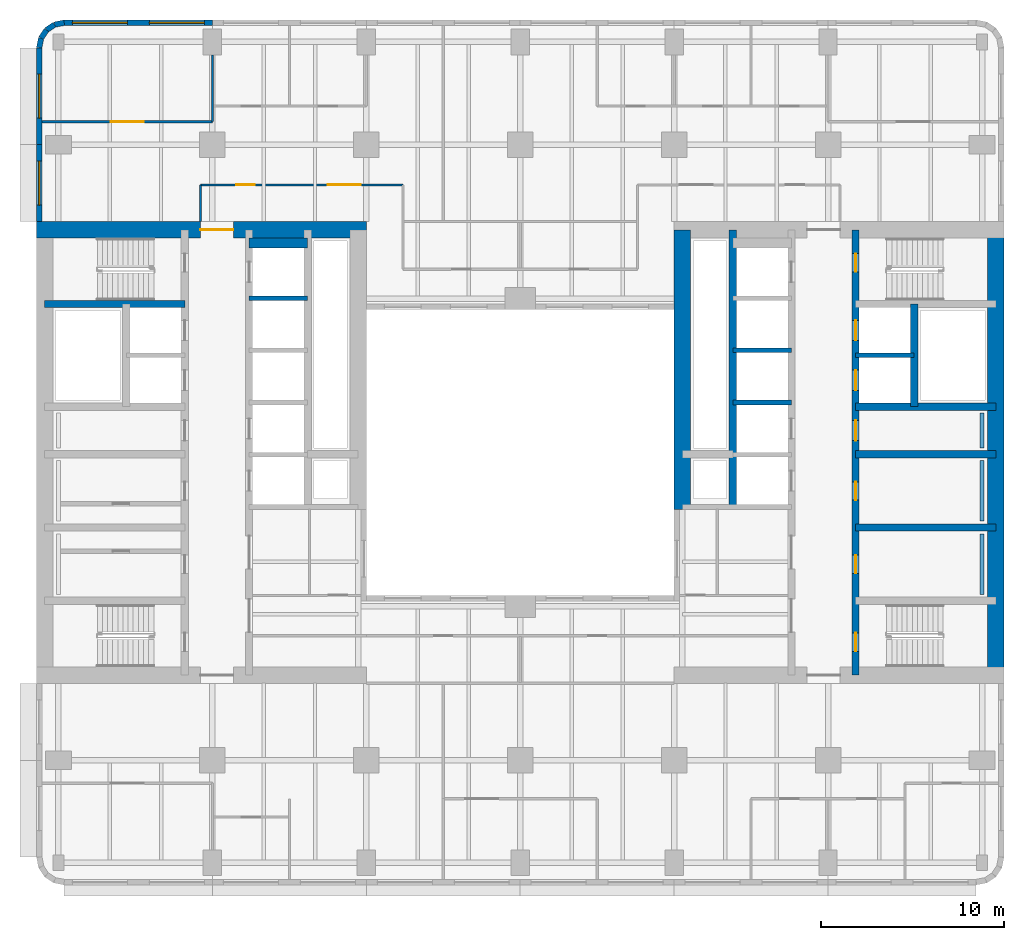
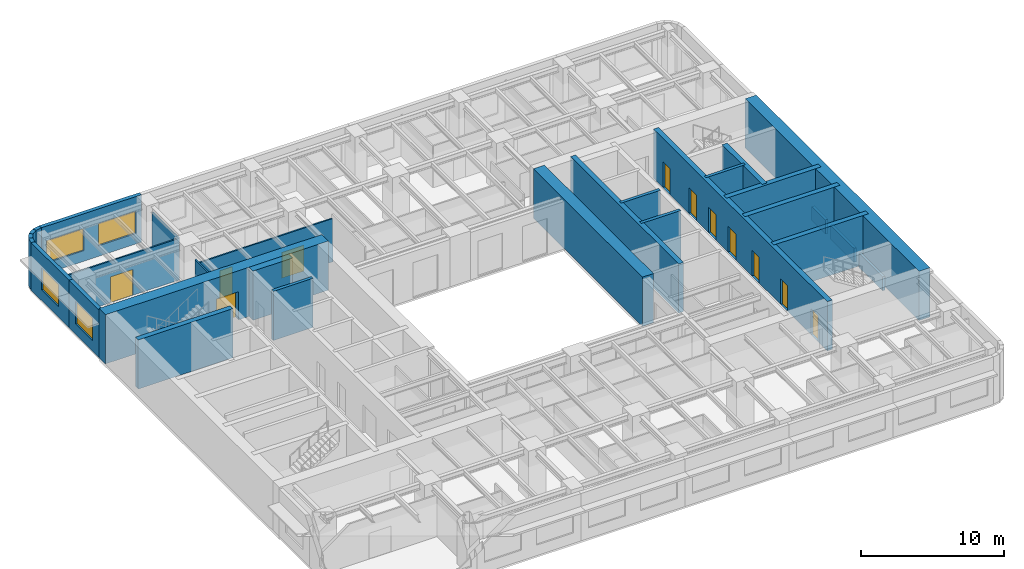
# One storey, part 6 of 11: 29 walls, 11 doors, 4 windows, 15 openings.
"""IFC4 building model written with IfcOpenShell, lengths in metres."""

from ifc_helpers import new_model, si_unit, direction, frame, frame_2d, origin, place, context, subcontext, project, spatial, rectangle, extrude, material, layer, layer_set, type_object, element, fill, save


model = new_model("IFC4")

# Units and contexts
model_context = context("Model", 3, precision=1e-05, world=origin(), true_north=direction((0.0, 1.0)))
body_context = subcontext(model_context, "Body", "Model", "MODEL_VIEW")
ifc_project = project(units=[si_unit("LENGTHUNIT", "METRE"), si_unit("AREAUNIT", "SQUARE_METRE"), si_unit("VOLUMEUNIT", "CUBIC_METRE"), si_unit("PLANEANGLEUNIT", "RADIAN"), si_unit("MASSUNIT", "GRAM", prefix="KILO")], contexts=[model_context])

# Site, building, storey
site_placement = place(None, origin())
site = spatial("IfcSite", under=ifc_project, at=site_placement, CompositionType="ELEMENT")
building_placement = place(site_placement, origin())
building = spatial("IfcBuilding", under=site, at=building_placement, Name="Claustro Exchange Tower", CompositionType="ELEMENT")
storey_placement = place(building_placement, frame((0.0, 0.0, 155.39990234375)))
storey = spatial("IfcBuildingStorey", under=building, at=storey_placement, Name="L35", CompositionType="ELEMENT", Elevation=155.39990234375)

# Wall, opening, door
ifc_material_1 = material(Name="Laminated glass in aluminium frame", Category="aluminium")
ifc_layer_1 = layer(ifc_material_1, 0.1201171875)
ifc_layer_set_1 = layer_set([ifc_layer_1], Name="Laminated glass in aluminium frame")
wall_type_1 = type_object("IfcWallType", Name="P2 120 glazed partition", PredefinedType="PARTITIONING", material=ifc_layer_set_1)
wall_1_placement = place(storey_placement, frame((-0.902099609375, 43.25, 0.0), z_axis=(0.0, 0.0, 1.0), x_axis=(1.0, 0.0, 0.0)))
wall_1 = element("IfcWall", 1, at=wall_1_placement, inside=storey, type_object=wall_type_1, Name="Partition P2 L35", PredefinedType="PARTITIONING", context=body_context, shape_type="SweptSolid", body=[
    extrude(rectangle(XDim=9.302001953125, YDim=0.1201171875, at=frame_2d((4.65087890625, 0.0))), origin(), (0.0, 0.0, 1.0), 3.550048828125),
])
opening_1_placement = place(wall_1_placement, frame((3.751953125, 0.0, 0.0)))
opening_1 = element("IfcOpeningElement", 2, at=opening_1_placement, cuts=wall_1, Name="Opening D2", PredefinedType="OPENING", context=body_context, shape_type="SweptSolid", body=[
    extrude(rectangle(XDim=1.800048828125, YDim=2.199951171875, at=frame_2d((0.89990234375, 1.10009765625))), frame((0.0, 0.070068359375, 0.0), z_axis=(0.0, -1.0, 0.0), x_axis=(1.0, 0.0, 0.0)), (0.0, 0.0, 1.0), 0.14013671875),
])
ifc_material_2 = material(Name="Timber door, oak veneer", Category="wood")
door_type_1 = type_object("IfcDoorType", Name="D2 1800 x 2200 double door", OperationType="DOUBLE_DOOR_SINGLE_SWING", PredefinedType="DOOR", material=ifc_material_2)
door_1_placement = place(opening_1_placement, origin())
door_1 = element("IfcDoor", 3, at=door_1_placement, inside=storey, type_object=door_type_1, Name="Double door D2 L35", OperationType="DOUBLE_DOOR_SINGLE_SWING", OverallHeight=2.199951171875, OverallWidth=1.800048828125, PredefinedType="DOOR", context=body_context, shape_type="SweptSolid", body=[
    extrude(rectangle(XDim=1.800048828125, YDim=2.199951171875, at=frame_2d((0.89990234375, 1.10009765625))), frame((0.0, 0.02490234375, 0.0), z_axis=(0.0, -1.0, 0.0), x_axis=(1.0, 0.0, 0.0)), (0.0, 0.0, 1.0), 0.050048828125),
])
fill(opening_1, door_1)

# Wall
wall_2_placement = place(storey_placement, frame((8.39990234375, 43.25, 0.0), z_axis=(0.0, 0.0, 1.0), x_axis=(0.0, 1.0, 0.0)))
element("IfcWall", 4, at=wall_2_placement, inside=storey, type_object=wall_type_1, Name="Partition P2 L35", PredefinedType="PARTITIONING", context=body_context, shape_type="SweptSolid", body=[
    extrude(rectangle(XDim=3.65087890625, YDim=0.1201171875, at=frame_2d((1.825439453125, 0.0))), origin(), (0.0, 0.0, 1.0), 3.550048828125),
])

# Wall, openings, doors
wall_3_placement = place(storey_placement, frame((7.75, 39.800048828125, 0.0), z_axis=(0.0, 0.0, 1.0), x_axis=(1.0, 0.0, 0.0)))
wall_3 = element("IfcWall", 5, at=wall_3_placement, inside=storey, type_object=wall_type_1, Name="Partition P2 L35", PredefinedType="PARTITIONING", context=body_context, shape_type="SweptSolid", body=[
    extrude(rectangle(XDim=11.050048828125, YDim=0.1201171875, at=frame_2d((5.52490234375, 0.0))), origin(), (0.0, 0.0, 1.0), 3.690185546875),
])
opening_2_placement = place(wall_3_placement, frame((1.949951171875, 0.0, 0.0)))
opening_2 = element("IfcOpeningElement", 6, at=opening_2_placement, cuts=wall_3, Name="Opening D7", PredefinedType="OPENING", context=body_context, shape_type="SweptSolid", body=[
    extrude(rectangle(XDim=1.0, YDim=2.39990234375, at=frame_2d((0.5, 1.199951171875))), frame((0.0, 0.070068359375, 0.0), z_axis=(0.0, -1.0, 0.0), x_axis=(1.0, 0.0, 0.0)), (0.0, 0.0, 1.0), 0.14013671875),
])
opening_3_placement = place(wall_3_placement, frame((6.949951171875, 0.0, 0.0)))
opening_3 = element("IfcOpeningElement", 7, at=opening_3_placement, cuts=wall_3, Name="Opening D2", PredefinedType="OPENING", context=body_context, shape_type="SweptSolid", body=[
    extrude(rectangle(XDim=1.800048828125, YDim=2.199951171875, at=frame_2d((0.89990234375, 1.10009765625))), frame((0.0, 0.070068359375, 0.0), z_axis=(0.0, -1.0, 0.0), x_axis=(1.0, 0.0, 0.0)), (0.0, 0.0, 1.0), 0.14013671875),
])
door_2_placement = place(opening_3_placement, origin())
door_2 = element("IfcDoor", 8, at=door_2_placement, inside=storey, type_object=door_type_1, Name="Double door D2 L35", OperationType="DOUBLE_DOOR_SINGLE_SWING", OverallHeight=2.199951171875, OverallWidth=1.800048828125, PredefinedType="DOOR", context=body_context, shape_type="SweptSolid", body=[
    extrude(rectangle(XDim=1.800048828125, YDim=2.199951171875, at=frame_2d((0.89990234375, 1.10009765625))), frame((0.0, 0.02490234375, 0.0), z_axis=(0.0, -1.0, 0.0), x_axis=(1.0, 0.0, 0.0)), (0.0, 0.0, 1.0), 0.050048828125),
])
fill(opening_3, door_2)
ifc_material_3 = material(Name="Glass door in aluminium frame", Category="aluminium")
door_type_2 = type_object("IfcDoorType", Name="D7 1000 x 2400 glazed door", OperationType="SINGLE_SWING_LEFT", PredefinedType="DOOR", material=ifc_material_3)
door_3_placement = place(opening_2_placement, origin())
door_3 = element("IfcDoor", 9, at=door_3_placement, inside=storey, type_object=door_type_2, Name="Door D7 L35", OperationType="SINGLE_SWING_LEFT", OverallHeight=2.39990234375, OverallWidth=1.0, PredefinedType="DOOR", context=body_context, shape_type="SweptSolid", body=[
    extrude(rectangle(XDim=1.0, YDim=2.39990234375, at=frame_2d((0.5, 1.199951171875))), frame((0.0, 0.02490234375, 0.0), z_axis=(0.0, -1.0, 0.0), x_axis=(1.0, 0.0, 0.0)), (0.0, 0.0, 1.0), 0.050048828125),
])
fill(opening_2, door_3)

# Wall
wall_4_placement = place(storey_placement, frame((7.75, 37.800048828125, 0.0), z_axis=(0.0, 0.0, 1.0), x_axis=(0.0, 1.0, 0.0)))
element("IfcWall", 10, at=wall_4_placement, inside=storey, type_object=wall_type_1, Name="Partition P2 L35", PredefinedType="PARTITIONING", context=body_context, shape_type="SweptSolid", body=[
    extrude(rectangle(XDim=2.0, YDim=0.1201171875, at=frame_2d((1.0, 0.0))), origin(), (0.0, 0.0, 1.0), 4.050048828125),
])

# Wall, opening, window
ifc_material_4 = material(Name="Concrete HA-40 (C40/50), precast, white cement, acid-etched", Category="concrete")
ifc_layer_2 = layer(ifc_material_4, 0.300048828125)
ifc_layer_set_2 = layer_set([ifc_layer_2], Name="Concrete HA-40 (C40/50), precast, white cement, acid-etched")
wall_type_2 = type_object("IfcWallType", Name="PC1 300 precast concrete pier panel", PredefinedType="SOLIDWALL", material=ifc_layer_set_2)
wall_5_placement = place(storey_placement, frame((-1.050048828125, 37.800048828125, 0.0), z_axis=(0.0, 0.0, 1.0), x_axis=(0.0, 1.0, 0.0)))
wall_5 = element("IfcWall", 11, at=wall_5_placement, inside=storey, type_object=wall_type_2, Name="Precast pier panel PC1 L35", PredefinedType="SOLIDWALL", context=body_context, shape_type="SweptSolid", body=[
    extrude(rectangle(XDim=4.199951171875, YDim=0.300048828125, at=frame_2d((2.10009765625, 0.0))), origin(), (0.0, 0.0, 1.0), 4.050048828125),
])
opening_4_placement = place(wall_5_placement, frame((0.89990234375, 0.0, 0.89990234375)))
opening_4 = element("IfcOpeningElement", 12, at=opening_4_placement, cuts=wall_5, Name="Opening W2", PredefinedType="OPENING", context=body_context, shape_type="SweptSolid", body=[
    extrude(rectangle(XDim=2.39990234375, YDim=1.89990234375, at=frame_2d((1.199951171875, 0.949951171875))), frame((0.0, 0.159912109375, 0.0), z_axis=(0.0, -1.0, 0.0), x_axis=(1.0, 0.0, 0.0)), (0.0, 0.0, 1.0), 0.320068359375),
])
ifc_material_5 = material(Name="Aluminium frame, clear double glazing", Category="aluminium")
window_type_1 = type_object("IfcWindowType", Name="W2 2400 x 1900 window", PartitioningType="SINGLE_PANEL", PredefinedType="WINDOW", material=ifc_material_5)
window_1_placement = place(opening_4_placement, origin())
window_1 = element("IfcWindow", 13, at=window_1_placement, inside=storey, type_object=window_type_1, Name="Window W2 L35", OverallHeight=1.89990234375, OverallWidth=2.39990234375, PartitioningType="SINGLE_PANEL", PredefinedType="WINDOW", context=body_context, shape_type="SweptSolid", body=[
    extrude(rectangle(XDim=2.39990234375, YDim=1.89990234375, at=frame_2d((1.199951171875, 0.949951171875))), frame((0.0, 0.030029296875, 0.0), z_axis=(0.0, -1.0, 0.0), x_axis=(1.0, 0.0, 0.0)), (0.0, 0.0, 1.0), 0.06005859375),
])
fill(opening_4, window_1)

wall_6_placement = place(storey_placement, frame((-1.050048828125, 42.0, 0.0), z_axis=(0.0, 0.0, 1.0), x_axis=(0.0, 1.0, 0.0)))
wall_6 = element("IfcWall", 14, at=wall_6_placement, inside=storey, type_object=wall_type_2, Name="Precast pier panel PC1 L35", PredefinedType="SOLIDWALL", context=body_context, shape_type="SweptSolid", body=[
    extrude(rectangle(XDim=5.28515625, YDim=0.300048828125, at=frame_2d((2.642578125, 0.0))), origin(), (0.0, 0.0, 1.0), 4.050048828125),
])
opening_5_placement = place(wall_6_placement, frame((1.442626953125, 0.0, 0.89990234375)))
opening_5 = element("IfcOpeningElement", 15, at=opening_5_placement, cuts=wall_6, Name="Opening W2", PredefinedType="OPENING", context=body_context, shape_type="SweptSolid", body=[
    extrude(rectangle(XDim=2.39990234375, YDim=1.89990234375, at=frame_2d((1.199951171875, 0.949951171875))), frame((0.0, 0.159912109375, 0.0), z_axis=(0.0, -1.0, 0.0), x_axis=(1.0, 0.0, 0.0)), (0.0, 0.0, 1.0), 0.320068359375),
])
window_2_placement = place(opening_5_placement, origin())
window_2 = element("IfcWindow", 16, at=window_2_placement, inside=storey, type_object=window_type_1, Name="Window W2 L35", OverallHeight=1.89990234375, OverallWidth=2.39990234375, PartitioningType="SINGLE_PANEL", PredefinedType="WINDOW", context=body_context, shape_type="SweptSolid", body=[
    extrude(rectangle(XDim=2.39990234375, YDim=1.89990234375, at=frame_2d((1.199951171875, 0.949951171875))), frame((0.0, 0.030029296875, 0.0), z_axis=(0.0, -1.0, 0.0), x_axis=(1.0, 0.0, 0.0)), (0.0, 0.0, 1.0), 0.06005859375),
])
fill(opening_5, window_2)

# Walls
wall_7_placement = place(storey_placement, frame((-1.050048828125, 47.28515625, 0.0), z_axis=(0.0, 0.0, 1.0), x_axis=(0.195073962632, 0.980788534345, 0.0)))
element("IfcWall", 17, at=wall_7_placement, inside=storey, type_object=wall_type_2, Name="Precast pier panel PC1 L35", PredefinedType="SOLIDWALL", context=body_context, shape_type="SweptSolid", body=[
    extrude(rectangle(XDim=0.540771484375, YDim=0.300048828125, at=frame_2d((0.2705078125, 0.0))), origin(), (0.0, 0.0, 1.0), 4.050048828125),
])
wall_8_placement = place(storey_placement, frame((-0.944580078125, 47.8154296875, 0.0), z_axis=(0.0, 0.0, 1.0), x_axis=(0.55534295404, 0.831621430339, 0.0)))
element("IfcWall", 18, at=wall_8_placement, inside=storey, type_object=wall_type_2, Name="Precast pier panel PC1 L35", PredefinedType="SOLIDWALL", context=body_context, shape_type="SweptSolid", body=[
    extrude(rectangle(XDim=0.52587890625, YDim=0.300048828125, at=frame_2d((0.262939453125, 0.0))), origin(), (0.0, 0.0, 1.0), 4.050048828125),
])
wall_9_placement = place(storey_placement, frame((-0.652587890625, 48.252685546875, 0.0), z_axis=(0.0, 0.0, 1.0), x_axis=(0.831692711774, 0.555236195849, 0.0)))
element("IfcWall", 19, at=wall_9_placement, inside=storey, type_object=wall_type_2, Name="Precast pier panel PC1 L35", PredefinedType="SOLIDWALL", context=body_context, shape_type="SweptSolid", body=[
    extrude(rectangle(XDim=0.525390625, YDim=0.300048828125, at=frame_2d((0.2626953125, 0.0))), origin(), (0.0, 0.0, 1.0), 4.050048828125),
])
wall_10_placement = place(storey_placement, frame((-0.215576171875, 48.54443359375, 0.0), z_axis=(0.0, 0.0, 1.0), x_axis=(0.980788534345, 0.195073962632, 0.0)))
element("IfcWall", 20, at=wall_10_placement, inside=storey, type_object=wall_type_2, Name="Precast pier panel PC1 L35", PredefinedType="SOLIDWALL", context=body_context, shape_type="SweptSolid", body=[
    extrude(rectangle(XDim=0.540771484375, YDim=0.300048828125, at=frame_2d((0.2705078125, 0.0))), origin(), (0.0, 0.0, 1.0), 4.050048828125),
])

# Wall, openings, windows
wall_11_placement = place(storey_placement, frame((0.314697265625, 48.64990234375, 0.0), z_axis=(0.0, 0.0, 1.0), x_axis=(1.0, 0.0, 0.0)))
wall_11 = element("IfcWall", 21, at=wall_11_placement, inside=storey, type_object=wall_type_2, Name="Precast pier panel PC1 L35", PredefinedType="SOLIDWALL", context=body_context, shape_type="SweptSolid", body=[
    extrude(rectangle(XDim=8.085205078125, YDim=0.300048828125, at=frame_2d((4.04248046875, 0.0))), origin(), (0.0, 0.0, 1.0), 4.050048828125),
])
opening_6_placement = place(wall_11_placement, frame((0.442626953125, 0.0, 0.89990234375)))
opening_6 = element("IfcOpeningElement", 22, at=opening_6_placement, cuts=wall_11, Name="Opening W1", PredefinedType="OPENING", context=body_context, shape_type="SweptSolid", body=[
    extrude(rectangle(XDim=3.0, YDim=1.89990234375, at=frame_2d((1.5, 0.949951171875))), frame((0.0, 0.159912109375, 0.0), z_axis=(0.0, -1.0, 0.0), x_axis=(1.0, 0.0, 0.0)), (0.0, 0.0, 1.0), 0.320068359375),
])
opening_7_placement = place(wall_11_placement, frame((4.642578125, 0.0, 0.89990234375)))
opening_7 = element("IfcOpeningElement", 23, at=opening_7_placement, cuts=wall_11, Name="Opening W1", PredefinedType="OPENING", context=body_context, shape_type="SweptSolid", body=[
    extrude(rectangle(XDim=3.0, YDim=1.89990234375, at=frame_2d((1.5, 0.949951171875))), frame((0.0, 0.159912109375, 0.0), z_axis=(0.0, -1.0, 0.0), x_axis=(1.0, 0.0, 0.0)), (0.0, 0.0, 1.0), 0.320068359375),
])
ifc_material_6 = material(Name="Aluminium frame, clear double glazing", Category="aluminium")
window_type_2 = type_object("IfcWindowType", Name="W1 3000 x 1900 window", PartitioningType="SINGLE_PANEL", PredefinedType="WINDOW", material=ifc_material_6)
window_3_placement = place(opening_6_placement, origin())
window_3 = element("IfcWindow", 24, at=window_3_placement, inside=storey, type_object=window_type_2, Name="Window W1 L35", OverallHeight=1.89990234375, OverallWidth=3.0, PartitioningType="SINGLE_PANEL", PredefinedType="WINDOW", context=body_context, shape_type="SweptSolid", body=[
    extrude(rectangle(XDim=3.0, YDim=1.89990234375, at=frame_2d((1.5, 0.949951171875))), frame((0.0, 0.030029296875, 0.0), z_axis=(0.0, -1.0, 0.0), x_axis=(1.0, 0.0, 0.0)), (0.0, 0.0, 1.0), 0.06005859375),
])
fill(opening_6, window_3)
window_4_placement = place(opening_7_placement, origin())
window_4 = element("IfcWindow", 25, at=window_4_placement, inside=storey, type_object=window_type_2, Name="Window W1 L35", OverallHeight=1.89990234375, OverallWidth=3.0, PartitioningType="SINGLE_PANEL", PredefinedType="WINDOW", context=body_context, shape_type="SweptSolid", body=[
    extrude(rectangle(XDim=3.0, YDim=1.89990234375, at=frame_2d((1.5, 0.949951171875))), frame((0.0, 0.030029296875, 0.0), z_axis=(0.0, -1.0, 0.0), x_axis=(1.0, 0.0, 0.0)), (0.0, 0.0, 1.0), 0.06005859375),
])
fill(opening_7, window_4)

# Walls
ifc_material_7 = material(Name="Gypsum board on steel studs, tiled", Category="steel")
ifc_layer_3 = layer(ifc_material_7, 0.199951171875)
ifc_layer_set_3 = layer_set([ifc_layer_3], Name="Gypsum board on steel studs, tiled")
wall_type_3 = type_object("IfcWallType", Name="PW1 200 WC duct wall", PredefinedType="PLUMBINGWALL", material=ifc_layer_set_3)
for number, where, z_axis, x_axis, name in (
    (26, (50.39990234375, 17.449951171875, 0.0), (0.0, 0.0, 1.0), (0.0, 1.0, 0.0), "WC duct wall PW1 L35"),
    (27, (50.39990234375, 21.449951171875, 0.0), (0.0, 0.0, 1.0), (0.0, 1.0, 0.0), "WC duct wall PW1 L35"),
):
    element("IfcWall", number, at=place(storey_placement, frame(where, z_axis=z_axis, x_axis=x_axis)), inside=storey, type_object=wall_type_3, Name=name, PredefinedType="PLUMBINGWALL", context=body_context, shape_type="SweptSolid", body=[
        extrude(rectangle(XDim=3.300048828125, YDim=0.199951171875, at=frame_2d((1.64990234375, 0.0))), origin(), (0.0, 0.0, 1.0), 1.2001953125),
    ])
wall_12_placement = place(storey_placement, frame((50.39990234375, 25.449951171875, 0.0), z_axis=(0.0, 0.0, 1.0), x_axis=(0.0, 1.0, 0.0)))
element("IfcWall", 28, at=wall_12_placement, inside=storey, type_object=wall_type_3, Name="WC duct wall PW1 L35", PredefinedType="PLUMBINGWALL", context=body_context, shape_type="SweptSolid", body=[
    extrude(rectangle(XDim=1.900146484375, YDim=0.199951171875, at=frame_2d((0.9501953125, 0.0))), origin(), (0.0, 0.0, 1.0), 1.2001953125),
])

# Wall, opening, door
ifc_material_8 = material(Name="Concrete HA-70 (C70/85)", Category="concrete")
ifc_layer_4 = layer(ifc_material_8, 0.89990234375)
ifc_layer_set_4 = layer_set([ifc_layer_4], Name="Concrete HA-70 (C70/85)")
wall_type_4 = type_object("IfcWallType", Name="SW1 900 core shear wall", PredefinedType="SHEAR", material=ifc_layer_set_4)
wall_13_placement = place(storey_placement, frame((-1.199951171875, 37.35009765625, 0.0), z_axis=(0.0, 0.0, 1.0), x_axis=(1.0, 0.0, 0.0)))
wall_13 = element("IfcWall", 29, at=wall_13_placement, inside=storey, type_object=wall_type_4, Name="Core wall SW1 W core N face L35", PredefinedType="SHEAR", context=body_context, shape_type="SweptSolid", body=[
    extrude(rectangle(XDim=18.0, YDim=0.89990234375, at=frame_2d((9.0, 0.0))), origin(), (0.0, 0.0, 1.0), 4.2001953125),
])
opening_8_placement = place(wall_13_placement, frame((8.949951171875, 0.0, 0.0)))
opening_8 = element("IfcOpeningElement", 30, at=opening_8_placement, cuts=wall_13, Name="Opening D3", PredefinedType="OPENING", context=body_context, shape_type="SweptSolid", body=[
    extrude(rectangle(XDim=1.800048828125, YDim=2.39990234375, at=frame_2d((0.89990234375, 1.199951171875))), frame((0.0, 0.4599609375, 0.0), z_axis=(0.0, -1.0, 0.0), x_axis=(1.0, 0.0, 0.0)), (0.0, 0.0, 1.0), 0.919921875),
])
ifc_material_9 = material(Name="Steel fire door, painted", Category="steel")
door_type_3 = type_object("IfcDoorType", Name="D3 1800 x 2400 fire-rated lobby double door", OperationType="DOUBLE_DOOR_SINGLE_SWING", PredefinedType="DOOR", material=ifc_material_9)
door_4_placement = place(opening_8_placement, frame((1.800048828125, 0.0, 0.0), z_axis=(0.0, 0.0, 1.0), x_axis=(-1.0, 0.0, 0.0)))
door_4 = element("IfcDoor", 31, at=door_4_placement, inside=storey, type_object=door_type_3, Name="Lift lobby door D3 L35", OperationType="DOUBLE_DOOR_SINGLE_SWING", OverallHeight=2.39990234375, OverallWidth=1.800048828125, PredefinedType="DOOR", context=body_context, shape_type="SweptSolid", body=[
    extrude(rectangle(XDim=1.800048828125, YDim=2.39990234375, at=frame_2d((0.89990234375, 1.199951171875))), frame((0.0, 0.02490234375, 0.0), z_axis=(0.0, -1.0, 0.0), x_axis=(1.0, 0.0, 0.0)), (0.0, 0.0, 1.0), 0.050048828125),
])
fill(opening_8, door_4)

# Walls
ifc_material_10 = material(Name="Concrete HA-70 (C70/85)", Category="concrete")
ifc_layer_5 = layer(ifc_material_10, 0.89990234375)
ifc_layer_set_5 = layer_set([ifc_layer_5], Name="Concrete HA-70 (C70/85)")
wall_type_5 = type_object("IfcWallType", Name="SW1X 900 exposed core shear wall, board-marked face", PredefinedType="SHEAR", material=ifc_layer_set_5)
wall_14_placement = place(storey_placement, frame((34.050048828125, 22.10009765625, 0.0), z_axis=(0.0, 0.0, 1.0), x_axis=(0.0, 1.0, 0.0)))
element("IfcWall", 32, at=wall_14_placement, inside=storey, type_object=wall_type_5, Name="Core wall SW1X E core W face L35", PredefinedType="SHEAR", context=body_context, shape_type="SweptSolid", body=[
    extrude(rectangle(XDim=15.25, YDim=0.89990234375, at=frame_2d((7.625, 0.0))), origin(), (0.0, 0.0, 1.0), 4.2001953125),
])
wall_15_placement = place(storey_placement, frame((51.14990234375, 13.050048828125, 0.0), z_axis=(0.0, 0.0, 1.0), x_axis=(0.0, 1.0, 0.0)))
element("IfcWall", 33, at=wall_15_placement, inside=storey, type_object=wall_type_5, Name="Core wall SW1X E core E face L35", PredefinedType="SHEAR", context=body_context, shape_type="SweptSolid", body=[
    extrude(rectangle(XDim=24.300048828125, YDim=0.89990234375, at=frame_2d((12.14990234375, 0.0))), origin(), (0.0, 0.0, 1.0), 4.2001953125),
])
ifc_material_11 = material(Name="Concrete HA-50 (C50/60)", Category="concrete")
ifc_layer_6 = layer(ifc_material_11, 0.39990234375)
ifc_layer_set_6 = layer_set([ifc_layer_6], Name="Concrete HA-50 (C50/60)")
wall_type_6 = type_object("IfcWallType", Name="SW4 400 internal core wall", PredefinedType="SHEAR", material=ifc_layer_set_6)
wall_16_placement = place(storey_placement, frame((-0.75, 33.300048828125, 0.0), z_axis=(0.0, 0.0, 1.0), x_axis=(1.0, 0.0, 0.0)))
element("IfcWall", 34, at=wall_16_placement, inside=storey, type_object=wall_type_6, Name="Internal core wall SW4 W core L35", PredefinedType="SHEAR", context=body_context, shape_type="SweptSolid", body=[
    extrude(rectangle(XDim=7.64990234375, YDim=0.39990234375, at=frame_2d((3.824951171875, 0.0))), origin(), (0.0, 0.0, 1.0), 4.2001953125),
])

# Wall, openings, doors
wall_17_placement = place(storey_placement, frame((43.5, 13.050048828125, 0.0), z_axis=(0.0, 0.0, 1.0), x_axis=(0.0, 1.0, 0.0)))
wall_17 = element("IfcWall", 35, at=wall_17_placement, inside=storey, type_object=wall_type_6, Name="Internal core wall SW4 E core L35", PredefinedType="SHEAR", context=body_context, shape_type="SweptSolid", body=[
    extrude(rectangle(XDim=24.300048828125, YDim=0.39990234375, at=frame_2d((12.14990234375, 0.0))), origin(), (0.0, 0.0, 1.0), 4.2001953125),
])
opening_9_placement = place(wall_17_placement, frame((1.300048828125, 0.0, 0.0)))
opening_9 = element("IfcOpeningElement", 36, at=opening_9_placement, cuts=wall_17, Name="Opening D4", PredefinedType="OPENING", context=body_context, shape_type="SweptSolid", body=[
    extrude(rectangle(XDim=1.0, YDim=2.199951171875, at=frame_2d((0.5, 1.10009765625))), frame((0.0, 0.2099609375, 0.0), z_axis=(0.0, -1.0, 0.0), x_axis=(1.0, 0.0, 0.0)), (0.0, 0.0, 1.0), 0.419921875),
])
opening_10_placement = place(wall_17_placement, frame((22.0, 0.0, 0.0)))
opening_10 = element("IfcOpeningElement", 37, at=opening_10_placement, cuts=wall_17, Name="Opening D4", PredefinedType="OPENING", context=body_context, shape_type="SweptSolid", body=[
    extrude(rectangle(XDim=1.0, YDim=2.199951171875, at=frame_2d((0.5, 1.10009765625))), frame((0.0, 0.2099609375, 0.0), z_axis=(0.0, -1.0, 0.0), x_axis=(1.0, 0.0, 0.0)), (0.0, 0.0, 1.0), 0.419921875),
])
opening_11_placement = place(wall_17_placement, frame((5.550048828125, 0.0, 0.0)))
opening_11 = element("IfcOpeningElement", 38, at=opening_11_placement, cuts=wall_17, Name="Opening D1", PredefinedType="OPENING", context=body_context, shape_type="SweptSolid", body=[
    extrude(rectangle(XDim=1.0, YDim=2.199951171875, at=frame_2d((0.5, 1.10009765625))), frame((0.0, 0.2099609375, 0.0), z_axis=(0.0, -1.0, 0.0), x_axis=(1.0, 0.0, 0.0)), (0.0, 0.0, 1.0), 0.419921875),
])
opening_12_placement = place(wall_17_placement, frame((9.550048828125, 0.0, 0.0)))
opening_12 = element("IfcOpeningElement", 39, at=opening_12_placement, cuts=wall_17, Name="Opening D1", PredefinedType="OPENING", context=body_context, shape_type="SweptSolid", body=[
    extrude(rectangle(XDim=1.0, YDim=2.199951171875, at=frame_2d((0.5, 1.10009765625))), frame((0.0, 0.2099609375, 0.0), z_axis=(0.0, -1.0, 0.0), x_axis=(1.0, 0.0, 0.0)), (0.0, 0.0, 1.0), 0.419921875),
])
opening_13_placement = place(wall_17_placement, frame((12.800048828125, 0.0, 0.0)))
opening_13 = element("IfcOpeningElement", 40, at=opening_13_placement, cuts=wall_17, Name="Opening D10", PredefinedType="OPENING", context=body_context, shape_type="SweptSolid", body=[
    extrude(rectangle(XDim=1.10009765625, YDim=2.199951171875, at=frame_2d((0.550048828125, 1.10009765625))), frame((0.0, 0.2099609375, 0.0), z_axis=(0.0, -1.0, 0.0), x_axis=(1.0, 0.0, 0.0)), (0.0, 0.0, 1.0), 0.419921875),
])
opening_14_placement = place(wall_17_placement, frame((15.53759765625, 0.0, 0.0)))
opening_14 = element("IfcOpeningElement", 41, at=opening_14_placement, cuts=wall_17, Name="Opening LD", PredefinedType="OPENING", context=body_context, shape_type="SweptSolid", body=[
    extrude(rectangle(XDim=1.10009765625, YDim=2.199951171875, at=frame_2d((0.550048828125, 1.10009765625))), frame((0.0, 0.2099609375, 0.0), z_axis=(0.0, -1.0, 0.0), x_axis=(1.0, 0.0, 0.0)), (0.0, 0.0, 1.0), 0.419921875),
])
opening_15_placement = place(wall_17_placement, frame((18.262451171875, 0.0, 0.0)))
opening_15 = element("IfcOpeningElement", 42, at=opening_15_placement, cuts=wall_17, Name="Opening LD", PredefinedType="OPENING", context=body_context, shape_type="SweptSolid", body=[
    extrude(rectangle(XDim=1.10009765625, YDim=2.199951171875, at=frame_2d((0.550048828125, 1.10009765625))), frame((0.0, 0.2099609375, 0.0), z_axis=(0.0, -1.0, 0.0), x_axis=(1.0, 0.0, 0.0)), (0.0, 0.0, 1.0), 0.419921875),
])
ifc_material_12 = material(Name="Timber door, oak veneer", Category="wood")
door_type_4 = type_object("IfcDoorType", Name="D1 1000 x 2200 single door", OperationType="SINGLE_SWING_LEFT", PredefinedType="DOOR", material=ifc_material_12)
door_5_placement = place(opening_11_placement, frame((1.0, 0.0, 0.0), z_axis=(0.0, 0.0, 1.0), x_axis=(-1.0, 0.0, 0.0)))
door_5 = element("IfcDoor", 43, at=door_5_placement, inside=storey, type_object=door_type_4, Name="Door D1 L35", OperationType="SINGLE_SWING_LEFT", OverallHeight=2.199951171875, OverallWidth=1.0, PredefinedType="DOOR", context=body_context, shape_type="SweptSolid", body=[
    extrude(rectangle(XDim=1.0, YDim=2.199951171875, at=frame_2d((0.5, 1.10009765625))), frame((0.0, 0.02490234375, 0.0), z_axis=(0.0, -1.0, 0.0), x_axis=(1.0, 0.0, 0.0)), (0.0, 0.0, 1.0), 0.050048828125),
])
fill(opening_11, door_5)
door_6_placement = place(opening_12_placement, frame((1.0, 0.0, 0.0), z_axis=(0.0, 0.0, 1.0), x_axis=(-1.0, 0.0, 0.0)))
door_6 = element("IfcDoor", 44, at=door_6_placement, inside=storey, type_object=door_type_4, Name="Door D1 L35", OperationType="SINGLE_SWING_LEFT", OverallHeight=2.199951171875, OverallWidth=1.0, PredefinedType="DOOR", context=body_context, shape_type="SweptSolid", body=[
    extrude(rectangle(XDim=1.0, YDim=2.199951171875, at=frame_2d((0.5, 1.10009765625))), frame((0.0, 0.02490234375, 0.0), z_axis=(0.0, -1.0, 0.0), x_axis=(1.0, 0.0, 0.0)), (0.0, 0.0, 1.0), 0.050048828125),
])
fill(opening_12, door_6)
ifc_material_13 = material(Name="Timber door, oak veneer", Category="wood")
door_type_5 = type_object("IfcDoorType", Name="D10 1100 x 2200 accessible WC door", OperationType="SINGLE_SWING_LEFT", PredefinedType="DOOR", material=ifc_material_13)
door_7_placement = place(opening_13_placement, origin())
door_7 = element("IfcDoor", 45, at=door_7_placement, inside=storey, type_object=door_type_5, Name="Accessible WC door D10 L35", OperationType="SINGLE_SWING_RIGHT", OverallHeight=2.199951171875, OverallWidth=1.10009765625, PredefinedType="DOOR", context=body_context, shape_type="SweptSolid", body=[
    extrude(rectangle(XDim=1.10009765625, YDim=2.199951171875, at=frame_2d((0.550048828125, 1.10009765625))), frame((0.0, 0.02490234375, 0.0), z_axis=(0.0, -1.0, 0.0), x_axis=(1.0, 0.0, 0.0)), (0.0, 0.0, 1.0), 0.050048828125),
])
fill(opening_13, door_7)
ifc_material_14 = material(Name="Steel fire door, painted", Category="steel")
door_type_6 = type_object("IfcDoorType", Name="D4 1000 x 2200 fire-rated stair door", OperationType="SINGLE_SWING_LEFT", PredefinedType="DOOR", material=ifc_material_14)
door_8_placement = place(opening_9_placement, frame((1.0, 0.0, 0.0), z_axis=(0.0, 0.0, 1.0), x_axis=(-1.0, 0.0, 0.0)))
door_8 = element("IfcDoor", 46, at=door_8_placement, inside=storey, type_object=door_type_6, Name="Stair door D4 L35", OperationType="SINGLE_SWING_RIGHT", OverallHeight=2.199951171875, OverallWidth=1.0, PredefinedType="DOOR", context=body_context, shape_type="SweptSolid", body=[
    extrude(rectangle(XDim=1.0, YDim=2.199951171875, at=frame_2d((0.5, 1.10009765625))), frame((0.0, 0.02490234375, 0.0), z_axis=(0.0, -1.0, 0.0), x_axis=(1.0, 0.0, 0.0)), (0.0, 0.0, 1.0), 0.050048828125),
])
fill(opening_9, door_8)
door_9_placement = place(opening_10_placement, frame((1.0, 0.0, 0.0), z_axis=(0.0, 0.0, 1.0), x_axis=(-1.0, 0.0, 0.0)))
door_9 = element("IfcDoor", 47, at=door_9_placement, inside=storey, type_object=door_type_6, Name="Stair door D4 L35", OperationType="SINGLE_SWING_LEFT", OverallHeight=2.199951171875, OverallWidth=1.0, PredefinedType="DOOR", context=body_context, shape_type="SweptSolid", body=[
    extrude(rectangle(XDim=1.0, YDim=2.199951171875, at=frame_2d((0.5, 1.10009765625))), frame((0.0, 0.02490234375, 0.0), z_axis=(0.0, -1.0, 0.0), x_axis=(1.0, 0.0, 0.0)), (0.0, 0.0, 1.0), 0.050048828125),
])
fill(opening_10, door_9)
ifc_material_15 = material(Name="Stainless steel sliding door", Category="steel")
door_type_7 = type_object("IfcDoorType", Name="LD 1100 x 2200 lift landing door", OperationType="DOUBLE_DOOR_SLIDING", PredefinedType="DOOR", material=ifc_material_15)
door_10_placement = place(opening_14_placement, origin())
door_10 = element("IfcDoor", 48, at=door_10_placement, inside=storey, type_object=door_type_7, Name="Lift landing door LEE1 LD L35", OperationType="DOUBLE_DOOR_SLIDING", OverallHeight=2.199951171875, OverallWidth=1.10009765625, PredefinedType="DOOR", context=body_context, shape_type="SweptSolid", body=[
    extrude(rectangle(XDim=1.10009765625, YDim=2.199951171875, at=frame_2d((0.550048828125, 1.10009765625))), frame((0.0, 0.02490234375, 0.0), z_axis=(0.0, -1.0, 0.0), x_axis=(1.0, 0.0, 0.0)), (0.0, 0.0, 1.0), 0.050048828125),
])
fill(opening_14, door_10)
door_11_placement = place(opening_15_placement, origin())
door_11 = element("IfcDoor", 49, at=door_11_placement, inside=storey, type_object=door_type_7, Name="Lift landing door LEE2 LD L35", OperationType="DOUBLE_DOOR_SLIDING", OverallHeight=2.199951171875, OverallWidth=1.10009765625, PredefinedType="DOOR", context=body_context, shape_type="SweptSolid", body=[
    extrude(rectangle(XDim=1.10009765625, YDim=2.199951171875, at=frame_2d((0.550048828125, 1.10009765625))), frame((0.0, 0.02490234375, 0.0), z_axis=(0.0, -1.0, 0.0), x_axis=(1.0, 0.0, 0.0)), (0.0, 0.0, 1.0), 0.050048828125),
])
fill(opening_15, door_11)

# Walls
wall_18_placement = place(storey_placement, frame((36.800048828125, 22.22509765625, 0.0), z_axis=(0.0, 0.0, 1.0), x_axis=(0.0, 1.0, 0.0)))
element("IfcWall", 50, at=wall_18_placement, inside=storey, type_object=wall_type_6, Name="Internal core wall SW4 E core L35", PredefinedType="SHEAR", context=body_context, shape_type="SweptSolid", body=[
    extrude(rectangle(XDim=15.125, YDim=0.39990234375, at=frame_2d((7.5625, 0.0))), origin(), (0.0, 0.0, 1.0), 4.2001953125),
])
for number, where, z_axis, x_axis, name in (
    (51, (51.14990234375, 21.10009765625, 0.0), (0.0, 0.0, 1.0), (-1.0, 0.0, 0.0), "Internal core wall SW4 E core L35"),
    (52, (51.14990234375, 25.10009765625, 0.0), (0.0, 0.0, 1.0), (-1.0, 0.0, 0.0), "Internal core wall SW4 E core L35"),
    (53, (51.14990234375, 27.699951171875, 0.0), (0.0, 0.0, 1.0), (-1.0, 0.0, 0.0), "Internal core wall SW4 E core L35"),
):
    element("IfcWall", number, at=place(storey_placement, frame(where, z_axis=z_axis, x_axis=x_axis)), inside=storey, type_object=wall_type_6, Name=name, PredefinedType="SHEAR", context=body_context, shape_type="SweptSolid", body=[
        extrude(rectangle(XDim=7.64990234375, YDim=0.39990234375, at=frame_2d((3.824951171875, 0.0))), origin(), (0.0, 0.0, 1.0), 4.2001953125),
    ])
wall_19_placement = place(storey_placement, frame((46.699951171875, 27.699951171875, 0.0), z_axis=(0.0, 0.0, 1.0), x_axis=(0.0, 1.0, 0.0)))
element("IfcWall", 54, at=wall_19_placement, inside=storey, type_object=wall_type_6, Name="Internal core wall SW4 E core L35", PredefinedType="SHEAR", context=body_context, shape_type="SweptSolid", body=[
    extrude(rectangle(XDim=5.60009765625, YDim=0.39990234375, at=frame_2d((2.800048828125, 0.0))), origin(), (0.0, 0.0, 1.0), 4.2001953125),
])
ifc_material_16 = material(Name="Concrete HA-50 (C50/60)", Category="concrete")
ifc_layer_7 = layer(ifc_material_16, 0.25)
ifc_layer_set_7 = layer_set([ifc_layer_7], Name="Concrete HA-50 (C50/60)")
wall_type_7 = type_object("IfcWallType", Name="SW5 250 lift shaft divider wall", PredefinedType="SHEAR", material=ifc_layer_set_7)
wall_20_placement = place(storey_placement, frame((10.39990234375, 33.625, 0.0), z_axis=(0.0, 0.0, 1.0), x_axis=(1.0, 0.0, 0.0)))
element("IfcWall", 55, at=wall_20_placement, inside=storey, type_object=wall_type_7, Name="Lift shaft wall W core L35", PredefinedType="SHEAR", context=body_context, shape_type="SweptSolid", body=[
    extrude(rectangle(XDim=3.2001953125, YDim=0.25, at=frame_2d((1.60009765625, 0.0))), origin(), (0.0, 0.0, 1.0), 4.2001953125),
])
for number, where, z_axis, x_axis, name in (
    (56, (46.699951171875, 30.5, 0.0), (0.0, 0.0, 1.0), (-1.0, 0.0, 0.0), "Lift shaft wall E core L35"),
    (57, (40.0, 27.925048828125, 0.0), (0.0, 0.0, 1.0), (-1.0, 0.0, 0.0), "Lift shaft wall E core L35"),
    (58, (40.0, 30.77490234375, 0.0), (0.0, 0.0, 1.0), (-1.0, 0.0, 0.0), "Lift shaft wall E core L35"),
):
    element("IfcWall", number, at=place(storey_placement, frame(where, z_axis=z_axis, x_axis=x_axis)), inside=storey, type_object=wall_type_7, Name=name, PredefinedType="SHEAR", context=body_context, shape_type="SweptSolid", body=[
        extrude(rectangle(XDim=3.199951171875, YDim=0.25, at=frame_2d((1.60009765625, 0.0))), origin(), (0.0, 0.0, 1.0), 4.2001953125),
    ])
ifc_material_17 = material(Name="Concrete HA-50 (C50/60)", Category="concrete")
ifc_layer_8 = layer(ifc_material_17, 0.550048828125)
ifc_layer_set_8 = layer_set([ifc_layer_8], Name="Concrete HA-50 (C50/60)")
wall_type_8 = type_object("IfcWallType", Name="SW6 550 lift shaft end wall", PredefinedType="SHEAR", material=ifc_layer_set_8)
wall_21_placement = place(storey_placement, frame((10.39990234375, 36.625, 0.0), z_axis=(0.0, 0.0, 1.0), x_axis=(1.0, 0.0, 0.0)))
element("IfcWall", 59, at=wall_21_placement, inside=storey, type_object=wall_type_8, Name="Lift shaft wall W core L35", PredefinedType="SHEAR", context=body_context, shape_type="SweptSolid", body=[
    extrude(rectangle(XDim=3.2001953125, YDim=0.550048828125, at=frame_2d((1.60009765625, 0.0))), origin(), (0.0, 0.0, 1.0), 4.2001953125),
])

save(model, "model.ifc")
